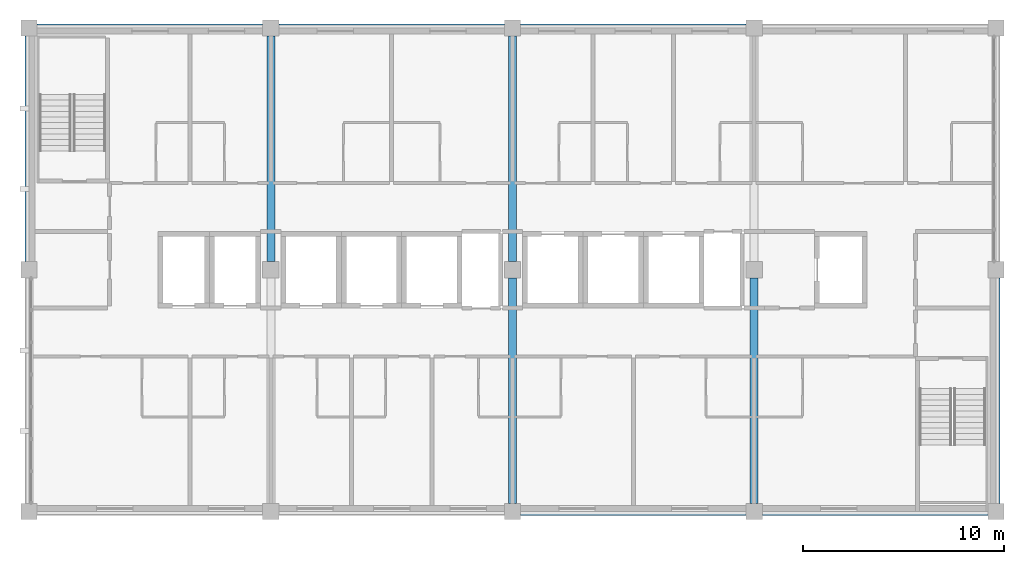
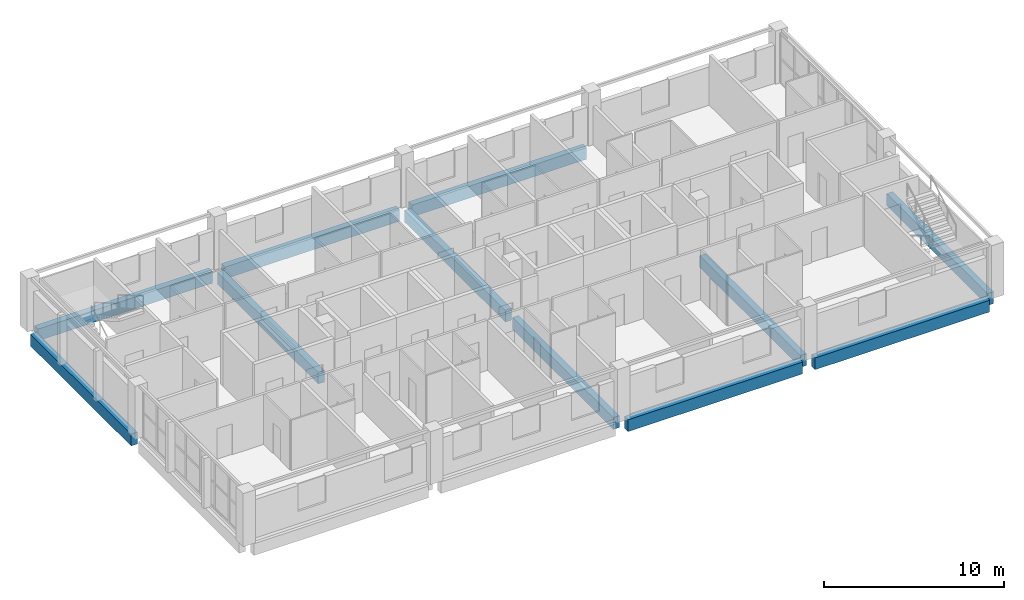
# One storey, part 3 of 11: 11 beams.
"""IFC4 building model written with IfcOpenShell, lengths in metres."""

from ifc_helpers import new_model, si_unit, direction, frame, origin, origin_2d, place, context, subcontext, project, spatial, rectangle, extrude, material, material_profile, profile_set, type_object, element, save


model = new_model("IFC4")

# Units and contexts
model_context = context("Model", 3, precision=1e-05, world=origin(), true_north=direction((0.0, 1.0)))
body_context = subcontext(model_context, "Body", "Model", "MODEL_VIEW")
ifc_project = project(units=[si_unit("LENGTHUNIT", "METRE"), si_unit("AREAUNIT", "SQUARE_METRE"), si_unit("VOLUMEUNIT", "CUBIC_METRE"), si_unit("PLANEANGLEUNIT", "RADIAN"), si_unit("MASSUNIT", "GRAM", prefix="KILO")], contexts=[model_context])

# Site, building, storey
site_placement = place(None, origin())
site = spatial("IfcSite", under=ifc_project, at=site_placement, CompositionType="ELEMENT")
building_placement = place(site_placement, origin())
building = spatial("IfcBuilding", under=site, at=building_placement, Name="Lilac Gate Convention Centre", CompositionType="ELEMENT")
storey_placement = place(building_placement, frame((0.0, 0.0, 42.60009765625)))
storey = spatial("IfcBuildingStorey", under=building, at=storey_placement, Name="L10", CompositionType="ELEMENT", Elevation=42.60009765625)

# Beams
ifc_material = material(Name="Concrete C40", Category="concrete")
ifc_material_profile = material_profile(ifc_material, rectangle(XDim=0.39990234375, YDim=0.800048828125, at=origin_2d()), Name="RC 400x800")
ifc_profile_set = profile_set([ifc_material_profile], Name="Concrete C40")
beam_type = type_object("IfcBeamType", Name="Tower primary beam 400x800 C40", PredefinedType="BEAM", material=ifc_profile_set)
for number, where, z_axis, x_axis, name in (
    (1, (66.39990234375, 222.0, -0.60009765625), (1.0, 0.0, 0.0), (0.0, 1.0, 0.0), "RB3 L10 6/S-7/S"),
    (2, (78.39990234375, 222.0, -0.60009765625), (1.0, 0.0, 0.0), (0.0, 1.0, 0.0), "RB3 L10 7/S-8/S"),
    (3, (42.39990234375, 246.0, -0.60009765625), (1.0, 0.0, 0.0), (0.0, 1.0, 0.0), "RB3 L10 4/U-5/U"),
    (4, (54.39990234375, 246.0, -0.60009765625), (1.0, 0.0, 0.0), (0.0, 1.0, 0.0), "RB3 L10 5/U-6/U"),
    (5, (66.39990234375, 246.0, -0.60009765625), (1.0, 0.0, 0.0), (0.0, 1.0, 0.0), "RB3 L10 6/U-7/U"),
    (6, (42.0, 234.39990234375, -0.60009765625), (0.0, 1.0, 0.0), (-1.0, 0.0, 0.0), "RB3 L10 4/T-4/U"),
    (7, (54.0, 234.39990234375, -0.60009765625), (0.0, 1.0, 0.0), (-1.0, 0.0, 0.0), "RB3 L10 5/T-5/U"),
    (8, (66.0, 222.39990234375, -0.60009765625), (0.0, 1.0, 0.0), (-1.0, 0.0, 0.0), "RB3 L10 6/S-6/T"),
    (9, (66.0, 234.39990234375, -0.60009765625), (0.0, 1.0, 0.0), (-1.0, 0.0, 0.0), "RB3 L10 6/T-6/U"),
    (10, (78.0, 222.39990234375, -0.60009765625), (0.0, 1.0, 0.0), (-1.0, 0.0, 0.0), "RB3 L10 7/S-7/T"),
    (11, (90.0, 222.39990234375, -0.60009765625), (0.0, 1.0, 0.0), (-1.0, 0.0, 0.0), "RB3 L10 8/S-8/T"),
):
    element("IfcBeam", number, at=place(storey_placement, frame(where, z_axis=z_axis, x_axis=x_axis)), inside=storey, type_object=beam_type, Name=name, PredefinedType="BEAM", context=body_context, shape_type="SweptSolid", body=[
        extrude(rectangle(XDim=0.39990234375, YDim=0.800048828125, at=origin_2d()), origin(), (0.0, 0.0, 1.0), 11.2001953125),
    ])

save(model, "model.ifc")
